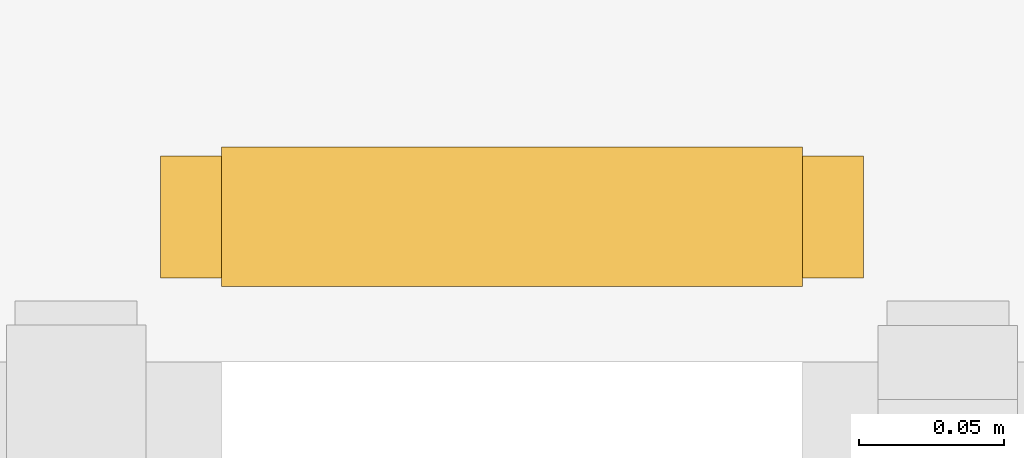
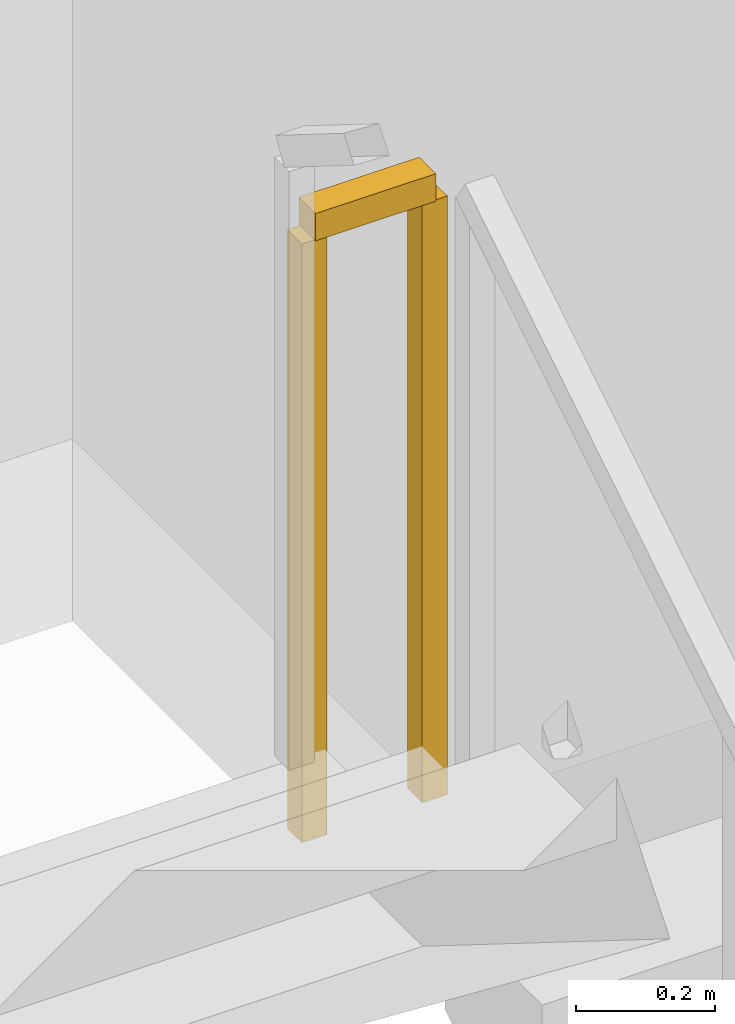
# One storey, part 22 of 22: 1 railing.
"""IFC4 building model written with IfcOpenShell, lengths in metres."""

from ifc_helpers import new_model, si_unit, direction, frame, origin, origin_2d, place, context, subcontext, project, spatial, rectangle, extrude, material, type_object, element, save


model = new_model("IFC4")

# Units and contexts
model_context = context("Model", 3, precision=1e-05, world=origin(), true_north=direction((0.0, 1.0)))
body_context = subcontext(model_context, "Body", "Model", "MODEL_VIEW")
ifc_project = project(units=[si_unit("LENGTHUNIT", "METRE"), si_unit("AREAUNIT", "SQUARE_METRE"), si_unit("VOLUMEUNIT", "CUBIC_METRE"), si_unit("PLANEANGLEUNIT", "RADIAN"), si_unit("MASSUNIT", "GRAM", prefix="KILO")], contexts=[model_context])

# Site, building, storey
site_placement = place(None, origin())
site = spatial("IfcSite", under=ifc_project, at=site_placement, CompositionType="ELEMENT")
building_placement = place(site_placement, origin())
building = spatial("IfcBuilding", under=site, at=building_placement, Name="Kiyonajd Concourse Tower", CompositionType="ELEMENT")
storey_placement = place(building_placement, frame((0.0, 0.0, 8.699951171875)))
storey = spatial("IfcBuildingStorey", under=building, at=storey_placement, Name="L03", CompositionType="ELEMENT", Elevation=8.699951171875)

# Railing
ifc_material = material(Name="Steel ASTM A500 Grade C", Category="steel")
railing_type = type_object("IfcRailingType", Name="RL-GRD-STR", PredefinedType="GUARDRAIL", material=ifc_material)
railing_placement = place(storey_placement, frame((84.89990234375, 32.780029296875, 2.10009765625)))
element("IfcRailing", 1, at=railing_placement, inside=storey, type_object=railing_type, Name="L03 ST5 stair guard 2", PredefinedType="GUARDRAIL", context=body_context, shape_type="SweptSolid", body=[
    extrude(rectangle(XDim=0.048095703125, YDim=0.048095703125, at=origin_2d()), frame((0.0, 0.0, 1.076171875), z_axis=(-1.0, 0.0, 0.0), x_axis=(0.0, -1.0, 0.0)), (0.0, 0.0, 1.0), 0.199951171875),
    extrude(rectangle(XDim=0.0419921875, YDim=0.0419921875, at=origin_2d()), origin(), (0.0, 0.0, 1.0), 1.052001953125),
    extrude(rectangle(XDim=0.0419921875, YDim=0.0419921875, at=origin_2d()), frame((-0.199951171875, 0.0, 0.0)), (0.0, 0.0, 1.0), 1.052001953125),
])

save(model, "model.ifc")
